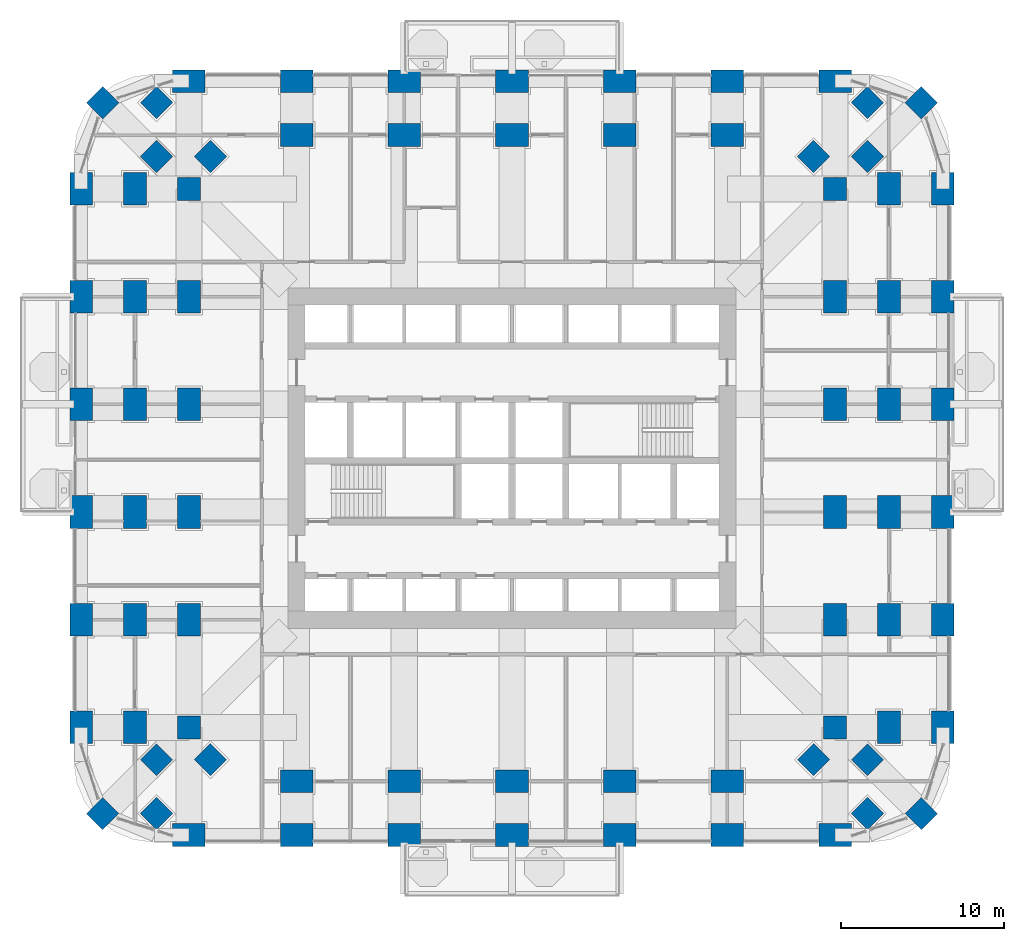
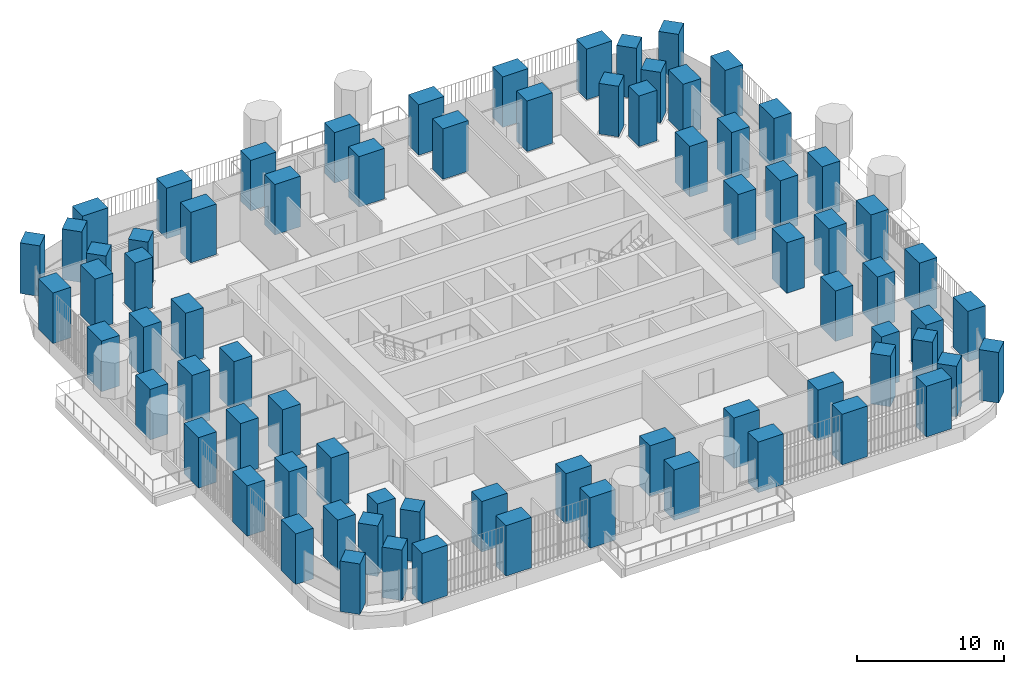
# One storey, part 1 of 25: 76 columns.
"""IFC4 building model written with IfcOpenShell, lengths in metres."""

from ifc_helpers import new_model, si_unit, direction, frame, origin, origin_2d, place, context, subcontext, project, spatial, rectangle, extrude, material, material_profile, profile_set, type_object, element, save


model = new_model("IFC4")

# Units and contexts
model_context = context("Model", 3, precision=1e-05, world=origin(), true_north=direction((0.0, 1.0)))
body_context = subcontext(model_context, "Body", "Model", "MODEL_VIEW")
ifc_project = project(units=[si_unit("LENGTHUNIT", "METRE"), si_unit("AREAUNIT", "SQUARE_METRE"), si_unit("VOLUMEUNIT", "CUBIC_METRE"), si_unit("PLANEANGLEUNIT", "RADIAN"), si_unit("MASSUNIT", "GRAM", prefix="KILO")], contexts=[model_context])

# Site, building, storey
site_placement = place(None, origin())
site = spatial("IfcSite", under=ifc_project, at=site_placement, CompositionType="ELEMENT")
building_placement = place(site_placement, origin())
building = spatial("IfcBuilding", under=site, at=building_placement, Name="Cobogo Forest Laboratory Tower", CompositionType="ELEMENT")
storey_placement = place(building_placement, frame((0.0, 0.0, 67.5)))
storey = spatial("IfcBuildingStorey", under=building, at=storey_placement, Name="L15", CompositionType="ELEMENT", Elevation=67.5)

# Columns
ifc_material = material(Name="Concrete HA-50 (C50/60)", Category="concrete")
ifc_material_profile_1 = material_profile(ifc_material, rectangle(XDim=2.0, YDim=1.39990234375, at=origin_2d()), Name="RC 1400x2000")
ifc_profile_set_1 = profile_set([ifc_material_profile_1], Name="Concrete HA-50 (C50/60)")
column_type_1 = type_object("IfcColumnType", Name="Blade column 1400x2000", PredefinedType="COLUMN", material=ifc_profile_set_1)
for number, where, z_axis, x_axis, name in (
    (1, (6.60009765625, 0.0, 0.0), (0.0, 0.0, 1.0), (1.0, 0.0, 0.0), "Column 2-A L15"),
    (2, (13.199951171875, 0.0, 0.0), (0.0, 0.0, 1.0), (1.0, 0.0, 0.0), "Column 3-A L15"),
    (3, (19.800048828125, 0.0, 0.0), (0.0, 0.0, 1.0), (1.0, 0.0, 0.0), "Column 4-A L15"),
    (4, (26.39990234375, 0.0, 0.0), (0.0, 0.0, 1.0), (1.0, 0.0, 0.0), "Column 5-A L15"),
    (5, (33.0, 0.0, 0.0), (0.0, 0.0, 1.0), (1.0, 0.0, 0.0), "Column 6-A L15"),
    (6, (39.60009765625, 0.0, 0.0), (0.0, 0.0, 1.0), (1.0, 0.0, 0.0), "Column 7-A L15"),
    (7, (46.199951171875, 0.0, 0.0), (0.0, 0.0, 1.0), (1.0, 0.0, 0.0), "Column 8-A L15"),
    (8, (0.0, 6.60009765625, 0.0), (0.0, 0.0, 1.0), (0.0, 1.0, 0.0), "Column 1-B L15"),
    (9, (52.800048828125, 6.60009765625, 0.0), (0.0, 0.0, 1.0), (0.0, 1.0, 0.0), "Column 9-B L15"),
    (10, (0.0, 13.199951171875, 0.0), (0.0, 0.0, 1.0), (0.0, 1.0, 0.0), "Column 1-C L15"),
    (11, (52.800048828125, 13.199951171875, 0.0), (0.0, 0.0, 1.0), (0.0, 1.0, 0.0), "Column 9-C L15"),
    (12, (0.0, 19.800048828125, 0.0), (0.0, 0.0, 1.0), (0.0, 1.0, 0.0), "Column 1-D L15"),
    (13, (52.800048828125, 19.800048828125, 0.0), (0.0, 0.0, 1.0), (0.0, 1.0, 0.0), "Column 9-D L15"),
    (14, (0.0, 26.39990234375, 0.0), (0.0, 0.0, 1.0), (0.0, 1.0, 0.0), "Column 1-E L15"),
    (15, (52.800048828125, 26.39990234375, 0.0), (0.0, 0.0, 1.0), (0.0, 1.0, 0.0), "Column 9-E L15"),
    (16, (0.0, 33.0, 0.0), (0.0, 0.0, 1.0), (0.0, 1.0, 0.0), "Column 1-F L15"),
    (17, (52.800048828125, 33.0, 0.0), (0.0, 0.0, 1.0), (0.0, 1.0, 0.0), "Column 9-F L15"),
    (18, (0.0, 39.60009765625, 0.0), (0.0, 0.0, 1.0), (0.0, 1.0, 0.0), "Column 1-G L15"),
    (19, (52.800048828125, 39.60009765625, 0.0), (0.0, 0.0, 1.0), (0.0, 1.0, 0.0), "Column 9-G L15"),
    (20, (6.60009765625, 46.199951171875, 0.0), (0.0, 0.0, 1.0), (1.0, 0.0, 0.0), "Column 2-H L15"),
    (21, (13.199951171875, 46.199951171875, 0.0), (0.0, 0.0, 1.0), (1.0, 0.0, 0.0), "Column 3-H L15"),
    (22, (19.800048828125, 46.199951171875, 0.0), (0.0, 0.0, 1.0), (1.0, 0.0, 0.0), "Column 4-H L15"),
    (23, (26.39990234375, 46.199951171875, 0.0), (0.0, 0.0, 1.0), (1.0, 0.0, 0.0), "Column 5-H L15"),
    (24, (33.0, 46.199951171875, 0.0), (0.0, 0.0, 1.0), (1.0, 0.0, 0.0), "Column 6-H L15"),
    (25, (39.60009765625, 46.199951171875, 0.0), (0.0, 0.0, 1.0), (1.0, 0.0, 0.0), "Column 7-H L15"),
    (26, (46.199951171875, 46.199951171875, 0.0), (0.0, 0.0, 1.0), (1.0, 0.0, 0.0), "Column 8-H L15"),
    (27, (3.300048828125, 6.60009765625, 0.0), (0.0, 0.0, 1.0), (0.0, 1.0, 0.0), "Column 1.1-B-B L15"),
    (28, (49.5, 6.60009765625, 0.0), (0.0, 0.0, 1.0), (0.0, 1.0, 0.0), "Column 8.1-B-B L15"),
    (29, (3.300048828125, 13.199951171875, 0.0), (0.0, 0.0, 1.0), (0.0, 1.0, 0.0), "Column 1.1-C-B L15"),
    (30, (49.5, 13.199951171875, 0.0), (0.0, 0.0, 1.0), (0.0, 1.0, 0.0), "Column 8.1-C-B L15"),
    (31, (3.300048828125, 19.800048828125, 0.0), (0.0, 0.0, 1.0), (0.0, 1.0, 0.0), "Column 1.1-D-B L15"),
    (32, (49.5, 19.800048828125, 0.0), (0.0, 0.0, 1.0), (0.0, 1.0, 0.0), "Column 8.1-D-B L15"),
    (33, (3.300048828125, 26.39990234375, 0.0), (0.0, 0.0, 1.0), (0.0, 1.0, 0.0), "Column 1.1-E-B L15"),
    (34, (49.5, 26.39990234375, 0.0), (0.0, 0.0, 1.0), (0.0, 1.0, 0.0), "Column 8.1-E-B L15"),
    (35, (3.300048828125, 33.0, 0.0), (0.0, 0.0, 1.0), (0.0, 1.0, 0.0), "Column 1.1-F-B L15"),
    (36, (49.5, 33.0, 0.0), (0.0, 0.0, 1.0), (0.0, 1.0, 0.0), "Column 8.1-F-B L15"),
    (37, (3.300048828125, 39.60009765625, 0.0), (0.0, 0.0, 1.0), (0.0, 1.0, 0.0), "Column 1.1-G-B L15"),
    (38, (49.5, 39.60009765625, 0.0), (0.0, 0.0, 1.0), (0.0, 1.0, 0.0), "Column 8.1-G-B L15"),
    (39, (13.199951171875, 3.300048828125, 0.0), (0.0, 0.0, 1.0), (1.0, 0.0, 0.0), "Column 3-A.1-C L15"),
    (40, (19.800048828125, 3.300048828125, 0.0), (0.0, 0.0, 1.0), (1.0, 0.0, 0.0), "Column 4-A.1-C L15"),
    (41, (26.39990234375, 3.300048828125, 0.0), (0.0, 0.0, 1.0), (1.0, 0.0, 0.0), "Column 5-A.1-C L15"),
    (42, (33.0, 3.300048828125, 0.0), (0.0, 0.0, 1.0), (1.0, 0.0, 0.0), "Column 6-A.1-C L15"),
    (43, (39.60009765625, 3.300048828125, 0.0), (0.0, 0.0, 1.0), (1.0, 0.0, 0.0), "Column 7-A.1-C L15"),
    (44, (13.199951171875, 42.89990234375, 0.0), (0.0, 0.0, 1.0), (1.0, 0.0, 0.0), "Column 3-G.1-C L15"),
    (45, (19.800048828125, 42.89990234375, 0.0), (0.0, 0.0, 1.0), (1.0, 0.0, 0.0), "Column 4-G.1-C L15"),
    (46, (26.39990234375, 42.89990234375, 0.0), (0.0, 0.0, 1.0), (1.0, 0.0, 0.0), "Column 5-G.1-C L15"),
    (47, (33.0, 42.89990234375, 0.0), (0.0, 0.0, 1.0), (1.0, 0.0, 0.0), "Column 6-G.1-C L15"),
    (48, (39.60009765625, 42.89990234375, 0.0), (0.0, 0.0, 1.0), (1.0, 0.0, 0.0), "Column 7-G.1-C L15"),
    (49, (6.60009765625, 13.199951171875, 0.0), (0.0, 0.0, 1.0), (0.0, 1.0, 0.0), "Column 2-C-D L15"),
    (50, (46.199951171875, 13.199951171875, 0.0), (0.0, 0.0, 1.0), (0.0, 1.0, 0.0), "Column 8-C-D L15"),
    (51, (6.60009765625, 19.800048828125, 0.0), (0.0, 0.0, 1.0), (0.0, 1.0, 0.0), "Column 2-D-D L15"),
    (52, (46.199951171875, 19.800048828125, 0.0), (0.0, 0.0, 1.0), (0.0, 1.0, 0.0), "Column 8-D-D L15"),
    (53, (6.60009765625, 26.39990234375, 0.0), (0.0, 0.0, 1.0), (0.0, 1.0, 0.0), "Column 2-E-D L15"),
    (54, (46.199951171875, 26.39990234375, 0.0), (0.0, 0.0, 1.0), (0.0, 1.0, 0.0), "Column 8-E-D L15"),
    (55, (6.60009765625, 33.0, 0.0), (0.0, 0.0, 1.0), (0.0, 1.0, 0.0), "Column 2-F-D L15"),
    (56, (46.199951171875, 33.0, 0.0), (0.0, 0.0, 1.0), (0.0, 1.0, 0.0), "Column 8-F-D L15"),
):
    element("IfcColumn", number, at=place(storey_placement, frame(where, z_axis=z_axis, x_axis=x_axis)), inside=storey, type_object=column_type_1, Name=name, PredefinedType="COLUMN", context=body_context, shape_type="SweptSolid", body=[
        extrude(rectangle(XDim=2.0, YDim=1.39990234375, at=origin_2d()), origin(), (0.0, 0.0, 1.0), 4.199951171875),
    ])
ifc_material_profile_2 = material_profile(ifc_material, rectangle(XDim=1.39990234375, YDim=1.39990234375, at=origin_2d()), Name="RC 1400x1400")
ifc_profile_set_2 = profile_set([ifc_material_profile_2], Name="Concrete HA-50 (C50/60)")
column_type_2 = type_object("IfcColumnType", Name="Column 1400x1400", PredefinedType="COLUMN", material=ifc_profile_set_2)
for number, where, z_axis, x_axis, name in (
    (57, (1.318115234375, 1.318115234375, 0.0), (0.0, 0.0, 1.0), (0.707106781187, 0.707106781187, 0.0), "Column CNR-SW L15"),
    (58, (51.48193359375, 1.318115234375, 0.0), (0.0, 0.0, 1.0), (0.707106781187, 0.707106781187, 0.0), "Column CNR-SE L15"),
    (59, (1.318115234375, 44.882080078125, 0.0), (0.0, 0.0, 1.0), (0.707106781187, 0.707106781187, 0.0), "Column CNR-NW L15"),
    (60, (51.48193359375, 44.882080078125, 0.0), (0.0, 0.0, 1.0), (0.707106781187, 0.707106781187, 0.0), "Column CNR-NE L15"),
    (61, (6.60009765625, 6.60009765625, 0.0), (0.0, 0.0, 1.0), (1.0, 0.0, 0.0), "Column 2-B L15"),
    (62, (46.199951171875, 6.60009765625, 0.0), (0.0, 0.0, 1.0), (1.0, 0.0, 0.0), "Column 8-B L15"),
    (63, (6.60009765625, 39.60009765625, 0.0), (0.0, 0.0, 1.0), (1.0, 0.0, 0.0), "Column 2-G L15"),
    (64, (46.199951171875, 39.60009765625, 0.0), (0.0, 0.0, 1.0), (1.0, 0.0, 0.0), "Column 8-G L15"),
    (65, (4.617919921875, 1.318115234375, 0.0), (0.0, 0.0, 1.0), (0.707106781187, 0.707106781187, 0.0), "Column CNR-SW-B L15"),
    (66, (48.181884765625, 1.318115234375, 0.0), (0.0, 0.0, 1.0), (0.707106781187, 0.707106781187, 0.0), "Column CNR-SE-B L15"),
    (67, (4.617919921875, 44.882080078125, 0.0), (0.0, 0.0, 1.0), (0.707106781187, 0.707106781187, 0.0), "Column CNR-NW-B L15"),
    (68, (48.181884765625, 44.882080078125, 0.0), (0.0, 0.0, 1.0), (0.707106781187, 0.707106781187, 0.0), "Column CNR-NE-B L15"),
    (69, (4.617919921875, 4.617919921875, 0.0), (0.0, 0.0, 1.0), (0.707106781187, 0.707106781187, 0.0), "Column CNR-SW-C L15"),
    (70, (48.181884765625, 4.617919921875, 0.0), (0.0, 0.0, 1.0), (0.707106781187, 0.707106781187, 0.0), "Column CNR-SE-C L15"),
    (71, (4.617919921875, 41.58203125, 0.0), (0.0, 0.0, 1.0), (0.707106781187, 0.707106781187, 0.0), "Column CNR-NW-C L15"),
    (72, (48.181884765625, 41.58203125, 0.0), (0.0, 0.0, 1.0), (0.707106781187, 0.707106781187, 0.0), "Column CNR-NE-C L15"),
    (73, (7.91796875, 4.617919921875, 0.0), (0.0, 0.0, 1.0), (0.707106781187, 0.707106781187, 0.0), "Column CNR-SW-D L15"),
    (74, (44.882080078125, 4.617919921875, 0.0), (0.0, 0.0, 1.0), (0.707106781187, 0.707106781187, 0.0), "Column CNR-SE-D L15"),
    (75, (7.91796875, 41.58203125, 0.0), (0.0, 0.0, 1.0), (0.707106781187, 0.707106781187, 0.0), "Column CNR-NW-D L15"),
    (76, (44.882080078125, 41.58203125, 0.0), (0.0, 0.0, 1.0), (0.707106781187, 0.707106781187, 0.0), "Column CNR-NE-D L15"),
):
    element("IfcColumn", number, at=place(storey_placement, frame(where, z_axis=z_axis, x_axis=x_axis)), inside=storey, type_object=column_type_2, Name=name, PredefinedType="COLUMN", context=body_context, shape_type="SweptSolid", body=[
        extrude(rectangle(XDim=1.39990234375, YDim=1.39990234375, at=origin_2d()), origin(), (0.0, 0.0, 1.0), 4.199951171875),
    ])

save(model, "model.ifc")
